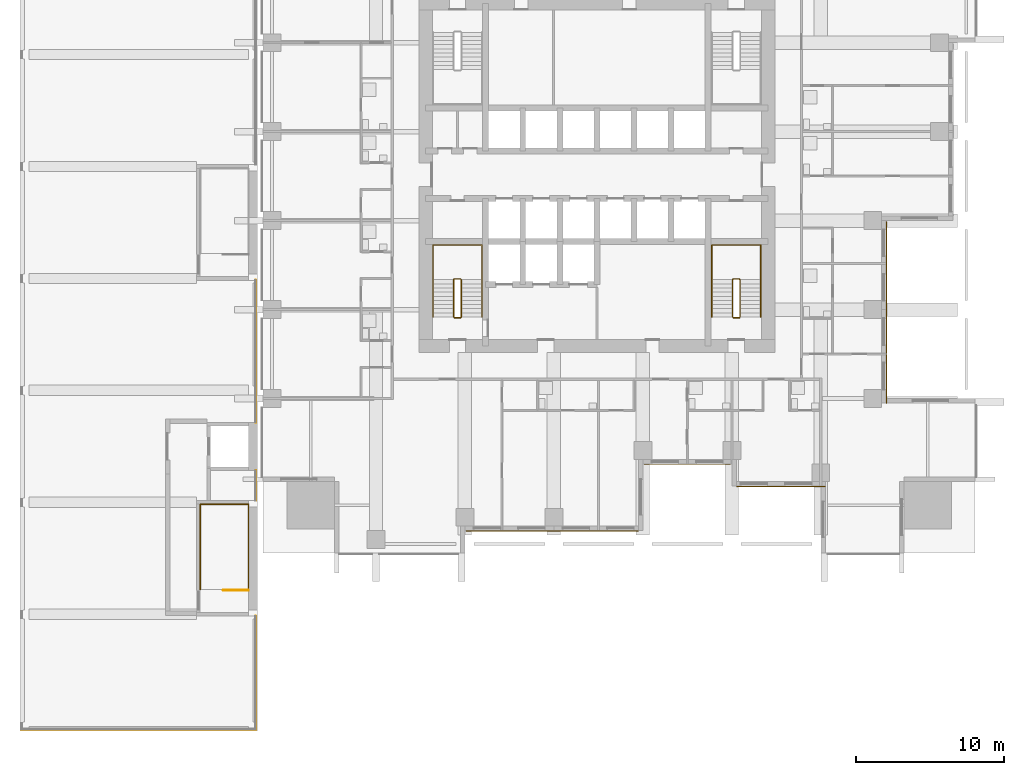
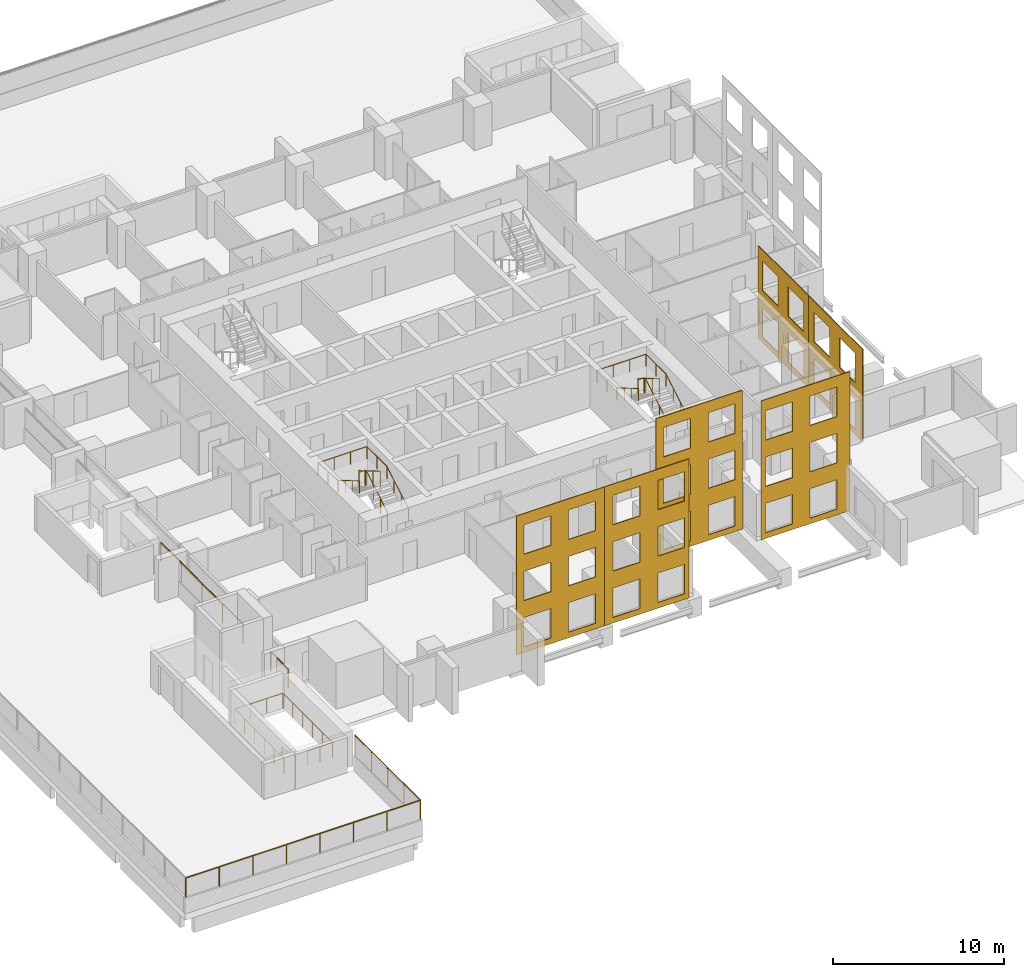
# One storey, part 12 of 15: 10 railings, 6 coverings.
"""IFC4 building model written with IfcOpenShell, lengths in metres."""

from ifc_helpers import new_model, si_unit, direction, frame, origin, origin_2d, place, context, subcontext, project, spatial, polyline, circle, outline, extrude, material, layer, layer_set, type_object, element, save


model = new_model("IFC4")

# Units and contexts
model_context = context("Model", 3, precision=1e-05, world=origin(), true_north=direction((0.0, 1.0)))
body_context = subcontext(model_context, "Body", "Model", "MODEL_VIEW")
ifc_project = project(units=[si_unit("LENGTHUNIT", "METRE"), si_unit("AREAUNIT", "SQUARE_METRE"), si_unit("VOLUMEUNIT", "CUBIC_METRE"), si_unit("PLANEANGLEUNIT", "RADIAN"), si_unit("MASSUNIT", "GRAM", prefix="KILO")], contexts=[model_context])

# Site, building, storey
site_placement = place(None, origin())
site = spatial("IfcSite", under=ifc_project, at=site_placement, CompositionType="ELEMENT")
building_placement = place(site_placement, origin())
building = spatial("IfcBuilding", under=site, at=building_placement, Name="Amberfall Residences", CompositionType="ELEMENT")
storey_placement = place(building_placement, frame((0.0, 0.0, 23.5)))
storey = spatial("IfcBuildingStorey", under=building, at=storey_placement, Name="L05", CompositionType="ELEMENT", Elevation=23.5)

# Coverings
ifc_material_1 = material(Name="Pale limestone cladding", Category="masonry")
ifc_layer = layer(ifc_material_1, 0.050048828125)
ifc_layer_set = layer_set([ifc_layer], Name="Limestone fascia 50")
covering_type = type_object("IfcCoveringType", Name="Limestone fascia 50", PredefinedType="CLADDING", material=ifc_layer_set)
covering_1_placement = place(storey_placement, frame((65.68994140625, 21.5, 9.64990234375), z_axis=(0.0, 1.0, 0.0), x_axis=(1.0, 0.0, 0.0)))
element("IfcCovering", 1, at=covering_1_placement, inside=storey, type_object=covering_type, Name="Pale limestone cladding L05-L07 S", PredefinedType="CLADDING", context=body_context, shape_type="SweptSolid", body=[
    extrude(outline(polyline([(0.0, 0.0), (5.91015625, 0.0), (5.91015625, 9.89990234375), (0.0, 9.89990234375), (0.0, 0.0)]), holes=[polyline([(0.510009765625, 7.39990234375), (2.31005859375, 7.39990234375), (2.31005859375, 9.5), (0.510009765625, 9.5), (0.510009765625, 7.39990234375)]), polyline([(3.510009765625, 7.39990234375), (5.31005859375, 7.39990234375), (5.31005859375, 9.5), (3.510009765625, 9.5), (3.510009765625, 7.39990234375)]), polyline([(0.510009765625, 4.099853515625), (2.31005859375, 4.099853515625), (2.31005859375, 6.199951171875), (0.510009765625, 6.199951171875), (0.510009765625, 4.099853515625)]), polyline([(3.510009765625, 4.099853515625), (5.31005859375, 4.099853515625), (5.31005859375, 6.199951171875), (3.510009765625, 6.199951171875), (3.510009765625, 4.099853515625)]), polyline([(0.510009765625, 0.7998046875), (2.31005859375, 0.7998046875), (2.31005859375, 2.89990234375), (0.510009765625, 2.89990234375), (0.510009765625, 0.7998046875)]), polyline([(3.510009765625, 0.7998046875), (5.31005859375, 0.7998046875), (5.31005859375, 2.89990234375), (3.510009765625, 2.89990234375), (3.510009765625, 0.7998046875)])]), origin(), (0.0, 0.0, -1.0), 0.050048828125),
])
covering_2_placement = place(storey_placement, frame((71.60009765625, 21.5, 9.64990234375), z_axis=(0.0, 1.0, 0.0), x_axis=(1.0, 0.0, 0.0)))
element("IfcCovering", 2, at=covering_2_placement, inside=storey, type_object=covering_type, Name="Pale limestone cladding L05-L07 S", PredefinedType="CLADDING", context=body_context, shape_type="SweptSolid", body=[
    extrude(outline(polyline([(0.0, 0.0), (5.699951171875, 0.0), (5.699951171875, 9.89990234375), (0.0, 9.89990234375), (0.0, 0.0)]), holes=[polyline([(0.599853515625, 7.39990234375), (2.39990234375, 7.39990234375), (2.39990234375, 9.5), (0.599853515625, 9.5), (0.599853515625, 7.39990234375)]), polyline([(3.599853515625, 7.39990234375), (5.39990234375, 7.39990234375), (5.39990234375, 9.5), (3.599853515625, 9.5), (3.599853515625, 7.39990234375)]), polyline([(0.599853515625, 4.099853515625), (2.39990234375, 4.099853515625), (2.39990234375, 6.199951171875), (0.599853515625, 6.199951171875), (0.599853515625, 4.099853515625)]), polyline([(3.599853515625, 4.099853515625), (5.39990234375, 4.099853515625), (5.39990234375, 6.199951171875), (3.599853515625, 6.199951171875), (3.599853515625, 4.099853515625)]), polyline([(0.599853515625, 0.7998046875), (2.39990234375, 0.7998046875), (2.39990234375, 2.89990234375), (0.599853515625, 2.89990234375), (0.599853515625, 0.7998046875)]), polyline([(3.599853515625, 0.7998046875), (5.39990234375, 0.7998046875), (5.39990234375, 2.89990234375), (3.599853515625, 2.89990234375), (3.599853515625, 0.7998046875)])]), origin(), (0.0, 0.0, -1.0), 0.050048828125),
])
covering_3_placement = place(storey_placement, frame((77.68994140625, 26.0, 9.64990234375), z_axis=(0.0, 1.0, 0.0), x_axis=(1.0, 0.0, 0.0)))
element("IfcCovering", 3, at=covering_3_placement, inside=storey, type_object=covering_type, Name="Pale limestone cladding L05-L07 S", PredefinedType="CLADDING", context=body_context, shape_type="SweptSolid", body=[
    extrude(outline(polyline([(0.0, 0.0), (5.820068359375, 0.0), (5.820068359375, 9.89990234375), (0.0, 9.89990234375), (0.0, 0.0)]), holes=[polyline([(0.510009765625, 7.39990234375), (2.31005859375, 7.39990234375), (2.31005859375, 9.5), (0.510009765625, 9.5), (0.510009765625, 7.39990234375)]), polyline([(3.510009765625, 7.39990234375), (5.31005859375, 7.39990234375), (5.31005859375, 9.5), (3.510009765625, 9.5), (3.510009765625, 7.39990234375)]), polyline([(0.510009765625, 4.099853515625), (2.31005859375, 4.099853515625), (2.31005859375, 6.199951171875), (0.510009765625, 6.199951171875), (0.510009765625, 4.099853515625)]), polyline([(3.510009765625, 4.099853515625), (5.31005859375, 4.099853515625), (5.31005859375, 6.199951171875), (3.510009765625, 6.199951171875), (3.510009765625, 4.099853515625)]), polyline([(0.510009765625, 0.7998046875), (2.31005859375, 0.7998046875), (2.31005859375, 2.89990234375), (0.510009765625, 2.89990234375), (0.510009765625, 0.7998046875)]), polyline([(3.510009765625, 0.7998046875), (5.31005859375, 0.7998046875), (5.31005859375, 2.89990234375), (3.510009765625, 2.89990234375), (3.510009765625, 0.7998046875)])]), origin(), (0.0, 0.0, -1.0), 0.050048828125),
])
covering_4_placement = place(storey_placement, frame((83.89990234375, 24.5, 9.64990234375), z_axis=(0.0, 1.0, 0.0), x_axis=(1.0, 0.0, 0.0)))
element("IfcCovering", 4, at=covering_4_placement, inside=storey, type_object=covering_type, Name="Pale limestone cladding L05-L07 S", PredefinedType="CLADDING", context=body_context, shape_type="SweptSolid", body=[
    extrude(outline(polyline([(0.0, 0.0), (6.0, 0.0), (6.0, 9.89990234375), (0.0, 9.89990234375), (0.0, 0.0)]), holes=[polyline([(0.300048828125, 7.39990234375), (2.10009765625, 7.39990234375), (2.10009765625, 9.5), (0.300048828125, 9.5), (0.300048828125, 7.39990234375)]), polyline([(3.300048828125, 7.39990234375), (5.10009765625, 7.39990234375), (5.10009765625, 9.5), (3.300048828125, 9.5), (3.300048828125, 7.39990234375)]), polyline([(0.300048828125, 4.099853515625), (2.10009765625, 4.099853515625), (2.10009765625, 6.199951171875), (0.300048828125, 6.199951171875), (0.300048828125, 4.099853515625)]), polyline([(3.300048828125, 4.099853515625), (5.10009765625, 4.099853515625), (5.10009765625, 6.199951171875), (3.300048828125, 6.199951171875), (3.300048828125, 4.099853515625)]), polyline([(0.300048828125, 0.7998046875), (2.10009765625, 0.7998046875), (2.10009765625, 2.89990234375), (0.300048828125, 2.89990234375), (0.300048828125, 0.7998046875)]), polyline([(3.300048828125, 0.7998046875), (5.10009765625, 0.7998046875), (5.10009765625, 2.89990234375), (3.300048828125, 2.89990234375), (3.300048828125, 0.7998046875)])]), origin(), (0.0, 0.0, -1.0), 0.050048828125),
])
covering_5_placement = place(storey_placement, frame((94.0, 30.10009765625, 6.35009765625), z_axis=(-1.0, 0.0, 0.0), x_axis=(0.0, 1.0, 0.0)))
element("IfcCovering", 5, at=covering_5_placement, inside=storey, type_object=covering_type, Name="Pale limestone cladding L05-L06 E", PredefinedType="CLADDING", context=body_context, shape_type="SweptSolid", body=[
    extrude(outline(polyline([(0.0, 0.0), (6.2998046875, 0.0), (6.2998046875, 6.60009765625), (0.0, 6.60009765625), (0.0, 0.0)]), holes=[polyline([(0.89990234375, 4.10009765625), (2.699951171875, 4.10009765625), (2.699951171875, 6.2001953125), (0.89990234375, 6.2001953125), (0.89990234375, 4.10009765625)]), polyline([(3.89990234375, 4.10009765625), (5.699951171875, 4.10009765625), (5.699951171875, 6.2001953125), (3.89990234375, 6.2001953125), (3.89990234375, 4.10009765625)]), polyline([(0.89990234375, 0.800048828125), (2.699951171875, 0.800048828125), (2.699951171875, 2.900146484375), (0.89990234375, 2.900146484375), (0.89990234375, 0.800048828125)]), polyline([(3.89990234375, 0.800048828125), (5.699951171875, 0.800048828125), (5.699951171875, 2.900146484375), (3.89990234375, 2.900146484375), (3.89990234375, 0.800048828125)])]), origin(), (0.0, 0.0, -1.0), 0.050048828125),
])
covering_6_placement = place(storey_placement, frame((94.0, 36.39990234375, 6.35009765625), z_axis=(-1.0, 0.0, 0.0), x_axis=(0.0, 1.0, 0.0)))
element("IfcCovering", 6, at=covering_6_placement, inside=storey, type_object=covering_type, Name="Pale limestone cladding L05-L06 E", PredefinedType="CLADDING", context=body_context, shape_type="SweptSolid", body=[
    extrude(outline(polyline([(0.0, 0.0), (5.91015625, 0.0), (5.91015625, 6.60009765625), (0.0, 6.60009765625), (0.0, 0.0)]), holes=[polyline([(0.60009765625, 4.10009765625), (2.400146484375, 4.10009765625), (2.400146484375, 6.2001953125), (0.60009765625, 6.2001953125), (0.60009765625, 4.10009765625)]), polyline([(3.60009765625, 4.10009765625), (5.400146484375, 4.10009765625), (5.400146484375, 6.2001953125), (3.60009765625, 6.2001953125), (3.60009765625, 4.10009765625)]), polyline([(0.60009765625, 0.800048828125), (2.400146484375, 0.800048828125), (2.400146484375, 2.900146484375), (0.60009765625, 2.900146484375), (0.60009765625, 0.800048828125)]), polyline([(3.60009765625, 0.800048828125), (5.400146484375, 0.800048828125), (5.400146484375, 2.900146484375), (3.60009765625, 2.900146484375), (3.60009765625, 0.800048828125)])]), origin(), (0.0, 0.0, -1.0), 0.050048828125),
])

# Railings
ifc_material_2 = material(Name="Galvanised steel", Category="steel")
railing_type_1 = type_object("IfcRailingType", Name="School playground fence 1400", PredefinedType="GUARDRAIL", material=ifc_material_2)
railing_1_placement = place(storey_placement, frame((35.699951171875, 8.10009765625, 1.10009765625)))
element("IfcRailing", 7, at=railing_1_placement, inside=storey, type_object=railing_type_1, Name="School playground fence", PredefinedType="GUARDRAIL", context=body_context, shape_type="SweptSolid", body=[
    extrude(circle(Radius=0.02392578125, at=origin_2d()), frame((0.0, 0.0, 1.3759765625), z_axis=(1.0, 0.0, 0.0), x_axis=(0.0, 1.0, 0.0)), (0.0, 0.0, 1.0), 15.800048828125),
    extrude(circle(Radius=0.02099609375, at=origin_2d()), origin(), (0.0, 0.0, 1.0), 1.351806640625),
    extrude(circle(Radius=0.02099609375, at=origin_2d()), frame((2.257080078125, 0.0, 0.0)), (0.0, 0.0, 1.0), 1.351806640625),
    extrude(circle(Radius=0.02099609375, at=origin_2d()), frame((4.514404296875, 0.0, 0.0)), (0.0, 0.0, 1.0), 1.351806640625),
    extrude(circle(Radius=0.02099609375, at=origin_2d()), frame((6.771484375, 0.0, 0.0)), (0.0, 0.0, 1.0), 1.351806640625),
    extrude(circle(Radius=0.02099609375, at=origin_2d()), frame((9.028564453125, 0.0, 0.0)), (0.0, 0.0, 1.0), 1.351806640625),
    extrude(circle(Radius=0.02099609375, at=origin_2d()), frame((11.28564453125, 0.0, 0.0)), (0.0, 0.0, 1.0), 1.351806640625),
    extrude(circle(Radius=0.02099609375, at=origin_2d()), frame((13.54296875, 0.0, 0.0)), (0.0, 0.0, 1.0), 1.351806640625),
    extrude(circle(Radius=0.02099609375, at=origin_2d()), frame((15.800048828125, 0.0, 0.0)), (0.0, 0.0, 1.0), 1.351806640625),
])
railing_2_placement = place(storey_placement, frame((51.5, 8.10009765625, 1.10009765625)))
element("IfcRailing", 8, at=railing_2_placement, inside=storey, type_object=railing_type_1, Name="School playground fence", PredefinedType="GUARDRAIL", context=body_context, shape_type="SweptSolid", body=[
    extrude(circle(Radius=0.02392578125, at=origin_2d()), frame((0.0, 0.0, 1.3759765625), z_axis=(0.0, 1.0, 0.0), x_axis=(-1.0, 0.0, 0.0)), (0.0, 0.0, 1.0), 7.625),
    extrude(circle(Radius=0.02099609375, at=origin_2d()), origin(), (0.0, 0.0, 1.0), 1.351806640625),
    extrude(circle(Radius=0.02099609375, at=origin_2d()), frame((0.0, 1.90625, 0.0)), (0.0, 0.0, 1.0), 1.351806640625),
    extrude(circle(Radius=0.02099609375, at=origin_2d()), frame((0.0, 3.8125, 0.0)), (0.0, 0.0, 1.0), 1.351806640625),
    extrude(circle(Radius=0.02099609375, at=origin_2d()), frame((0.0, 5.71875, 0.0)), (0.0, 0.0, 1.0), 1.351806640625),
    extrude(circle(Radius=0.02099609375, at=origin_2d()), frame((0.0, 7.625, 0.0)), (0.0, 0.0, 1.0), 1.351806640625),
])
railing_3_placement = place(storey_placement, frame((51.5, 23.52490234375, 1.10009765625)))
element("IfcRailing", 9, at=railing_3_placement, inside=storey, type_object=railing_type_1, Name="School playground fence", PredefinedType="GUARDRAIL", context=body_context, shape_type="SweptSolid", body=[
    extrude(circle(Radius=0.02392578125, at=origin_2d()), frame((0.0, 0.0, 1.3759765625), z_axis=(0.0, 1.0, 0.0), x_axis=(-1.0, 0.0, 0.0)), (0.0, 0.0, 1.0), 2.025146484375),
    extrude(circle(Radius=0.02099609375, at=origin_2d()), origin(), (0.0, 0.0, 1.0), 1.351806640625),
    extrude(circle(Radius=0.02099609375, at=origin_2d()), frame((0.0, 2.025146484375, 0.0)), (0.0, 0.0, 1.0), 1.351806640625),
])
railing_4_placement = place(storey_placement, frame((51.5, 28.800048828125, 1.10009765625)))
element("IfcRailing", 10, at=railing_4_placement, inside=storey, type_object=railing_type_1, Name="School playground fence", PredefinedType="GUARDRAIL", context=body_context, shape_type="SweptSolid", body=[
    extrude(circle(Radius=0.02392578125, at=origin_2d()), frame((0.0, 0.0, 1.3759765625), z_axis=(0.0, 1.0, 0.0), x_axis=(-1.0, 0.0, 0.0)), (0.0, 0.0, 1.0), 9.574951171875),
    extrude(circle(Radius=0.02099609375, at=origin_2d()), origin(), (0.0, 0.0, 1.0), 1.351806640625),
    extrude(circle(Radius=0.02099609375, at=origin_2d()), frame((0.0, 2.393798828125, 0.0)), (0.0, 0.0, 1.0), 1.351806640625),
    extrude(circle(Radius=0.02099609375, at=origin_2d()), frame((0.0, 4.78759765625, 0.0)), (0.0, 0.0, 1.0), 1.351806640625),
    extrude(circle(Radius=0.02099609375, at=origin_2d()), frame((0.0, 7.18115234375, 0.0)), (0.0, 0.0, 1.0), 1.351806640625),
    extrude(circle(Radius=0.02099609375, at=origin_2d()), frame((0.0, 9.574951171875, 0.0)), (0.0, 0.0, 1.0), 1.351806640625),
])
ifc_material_3 = material(Name="Stainless steel", Category="steel")
railing_type_2 = type_object("IfcRailingType", Name="School stair guard 1100", PredefinedType="GUARDRAIL", material=ifc_material_3)
railing_5_placement = place(storey_placement, frame((51.0, 17.47509765625, 0.0)))
element("IfcRailing", 11, at=railing_5_placement, inside=storey, type_object=railing_type_2, Name="L05 SS1 top well guard 1", PredefinedType="GUARDRAIL", context=body_context, shape_type="SweptSolid", body=[
    extrude(circle(Radius=0.02392578125, at=origin_2d()), frame((0.0, 0.0, 1.076171875), z_axis=(-1.0, 0.0, 0.0), x_axis=(0.0, -1.0, 0.0)), (0.0, 0.0, 1.0), 1.699951171875),
    extrude(circle(Radius=0.02099609375, at=origin_2d()), origin(), (0.0, 0.0, 1.0), 1.052001953125),
    extrude(circle(Radius=0.02099609375, at=origin_2d()), frame((-0.85009765625, 0.0, 0.0)), (0.0, 0.0, 1.0), 1.052001953125),
    extrude(circle(Radius=0.02099609375, at=origin_2d()), frame((-1.699951171875, 0.0, 0.0)), (0.0, 0.0, 1.0), 1.052001953125),
])
railing_6_placement = place(storey_placement, frame((51.0, 17.52490234375, 0.0)))
element("IfcRailing", 12, at=railing_6_placement, inside=storey, type_object=railing_type_2, Name="School roof stair well guard SS1", PredefinedType="GUARDRAIL", context=body_context, shape_type="SweptSolid", body=[
    extrude(circle(Radius=0.02392578125, at=origin_2d()), frame((0.0, 0.0, 1.076171875), z_axis=(0.0, 1.0, 0.0), x_axis=(-1.0, 0.0, 0.0)), (0.0, 0.0, 1.0), 5.75),
    extrude(circle(Radius=0.02392578125, at=origin_2d()), frame((0.0, 5.75, 1.076171875), z_axis=(-1.0, 0.0, 0.0), x_axis=(0.0, -1.0, 0.0)), (0.0, 0.0, 1.0), 3.25),
    extrude(circle(Radius=0.02392578125, at=origin_2d()), frame((-3.25, 5.75, 1.076171875), z_axis=(0.0, -1.0, 0.0), x_axis=(1.0, 0.0, 0.0)), (0.0, 0.0, 1.0), 5.75),
    extrude(circle(Radius=0.02099609375, at=origin_2d()), origin(), (0.0, 0.0, 1.0), 1.052001953125),
    extrude(circle(Radius=0.02099609375, at=origin_2d()), frame((0.0, 1.14990234375, 0.0)), (0.0, 0.0, 1.0), 1.052001953125),
    extrude(circle(Radius=0.02099609375, at=origin_2d()), frame((0.0, 2.300048828125, 0.0)), (0.0, 0.0, 1.0), 1.052001953125),
    extrude(circle(Radius=0.02099609375, at=origin_2d()), frame((0.0, 3.449951171875, 0.0)), (0.0, 0.0, 1.0), 1.052001953125),
    extrude(circle(Radius=0.02099609375, at=origin_2d()), frame((0.0, 4.60009765625, 0.0)), (0.0, 0.0, 1.0), 1.052001953125),
    extrude(circle(Radius=0.02099609375, at=origin_2d()), frame((0.0, 5.75, 0.0)), (0.0, 0.0, 1.0), 1.052001953125),
    extrude(circle(Radius=0.02099609375, at=origin_2d()), frame((-1.083251953125, 5.75, 0.0)), (0.0, 0.0, 1.0), 1.052001953125),
    extrude(circle(Radius=0.02099609375, at=origin_2d()), frame((-2.166748046875, 5.75, 0.0)), (0.0, 0.0, 1.0), 1.052001953125),
    extrude(circle(Radius=0.02099609375, at=origin_2d()), frame((-3.25, 5.75, 0.0)), (0.0, 0.0, 1.0), 1.052001953125),
    extrude(circle(Radius=0.02099609375, at=origin_2d()), frame((-3.25, 4.60009765625, 0.0)), (0.0, 0.0, 1.0), 1.052001953125),
    extrude(circle(Radius=0.02099609375, at=origin_2d()), frame((-3.25, 3.449951171875, 0.0)), (0.0, 0.0, 1.0), 1.052001953125),
    extrude(circle(Radius=0.02099609375, at=origin_2d()), frame((-3.25, 2.300048828125, 0.0)), (0.0, 0.0, 1.0), 1.052001953125),
    extrude(circle(Radius=0.02099609375, at=origin_2d()), frame((-3.25, 1.14990234375, 0.0)), (0.0, 0.0, 1.0), 1.052001953125),
    extrude(circle(Radius=0.02099609375, at=origin_2d()), frame((-3.25, 0.0, 0.0)), (0.0, 0.0, 1.0), 1.052001953125),
])
ifc_material_4 = material(Name="Stainless steel 316", Category="steel")
railing_type_3 = type_object("IfcRailingType", Name="Stair guard 1100", PredefinedType="GUARDRAIL", material=ifc_material_4)
railing_7_placement = place(storey_placement, frame((64.89990234375, 35.85009765625, 0.0)))
element("IfcRailing", 13, at=railing_7_placement, inside=storey, type_object=railing_type_3, Name="L05 stair 1 guard", PredefinedType="GUARDRAIL", context=body_context, shape_type="SweptSolid", body=[
    extrude(circle(Radius=0.02392578125, at=origin_2d()), frame((0.0, 0.0, 1.076171875), z_axis=(1.0, 0.0, 0.0), x_axis=(0.0, 1.0, 0.0)), (0.0, 0.0, 1.0), 0.400146484375),
    extrude(circle(Radius=0.02392578125, at=origin_2d()), frame((0.400146484375, 0.0, 1.076171875), z_axis=(0.278810427259, 0.277450376394, 0.919394384522), x_axis=(-0.705375805398, 0.708833529934, 0.0)), (0.0, 0.0, 1.0), 0.179443359375),
    extrude(circle(Radius=0.02392578125, at=origin_2d()), frame((0.4501953125, 0.0498046875, 1.2412109375), z_axis=(0.0, 0.861560626758, 0.507654692109), x_axis=(-1.0, 0.0, 0.0)), (0.0, 0.0, 1.0), 2.925048828125),
    extrude(circle(Radius=0.02392578125, at=origin_2d()), frame((0.4501953125, 2.56982421875, 2.72607421875), z_axis=(-0.707106781187, 0.707106781187, 0.0), x_axis=(-0.707106781187, -0.707106781187, 0.0)), (0.0, 0.0, 1.0), 0.07080078125),
    extrude(circle(Radius=0.02392578125, at=origin_2d()), frame((0.400146484375, 2.619873046875, 2.72607421875), z_axis=(-1.0, 0.0, 0.0), x_axis=(0.0, -1.0, 0.0)), (0.0, 0.0, 1.0), 0.400146484375),
    extrude(circle(Radius=0.02392578125, at=origin_2d()), frame((0.0, 2.619873046875, 2.72607421875), z_axis=(-0.277450376394, -0.278810427259, 0.919394384522), x_axis=(0.708833529934, -0.705375805398, 0.0)), (0.0, 0.0, 1.0), 0.179443359375),
    extrude(circle(Radius=0.02392578125, at=origin_2d()), frame((-0.0498046875, 2.56982421875, 2.89111328125), z_axis=(0.0, -0.86152411907, 0.507716645641), x_axis=(1.0, 0.0, 0.0)), (0.0, 0.0, 1.0), 2.925048828125),
    extrude(circle(Radius=0.02099609375, at=origin_2d()), origin(), (0.0, 0.0, 1.0), 1.052001953125),
    extrude(circle(Radius=0.02099609375, at=origin_2d()), frame((0.400146484375, 0.0, 0.0)), (0.0, 0.0, 1.0), 1.052001953125),
    extrude(circle(Radius=0.02099609375, at=origin_2d()), frame((0.4501953125, 0.0498046875, 0.1650390625)), (0.0, 0.0, 1.0), 1.052001953125),
    extrude(circle(Radius=0.02099609375, at=origin_2d()), frame((0.4501953125, 0.889892578125, 0.659912109375)), (0.0, 0.0, 1.0), 1.052001953125),
    extrude(circle(Radius=0.02099609375, at=origin_2d()), frame((0.4501953125, 1.729736328125, 1.155029296875)), (0.0, 0.0, 1.0), 1.052001953125),
    extrude(circle(Radius=0.02099609375, at=origin_2d()), frame((0.4501953125, 2.56982421875, 1.64990234375)), (0.0, 0.0, 1.0), 1.052001953125),
    extrude(circle(Radius=0.02099609375, at=origin_2d()), frame((0.400146484375, 2.619873046875, 1.64990234375)), (0.0, 0.0, 1.0), 1.052001953125),
    extrude(circle(Radius=0.02099609375, at=origin_2d()), frame((0.0, 2.619873046875, 1.64990234375)), (0.0, 0.0, 1.0), 1.052001953125),
    extrude(circle(Radius=0.02099609375, at=origin_2d()), frame((-0.0498046875, 2.56982421875, 1.81494140625)), (0.0, 0.0, 1.0), 1.052001953125),
    extrude(circle(Radius=0.02099609375, at=origin_2d()), frame((-0.0498046875, 1.729736328125, 2.31005859375)), (0.0, 0.0, 1.0), 1.052001953125),
    extrude(circle(Radius=0.02099609375, at=origin_2d()), frame((-0.0498046875, 0.889892578125, 2.804931640625)), (0.0, 0.0, 1.0), 1.052001953125),
    extrude(circle(Radius=0.02099609375, at=origin_2d()), frame((-0.0498046875, 0.0498046875, 3.300048828125)), (0.0, 0.0, 1.0), 1.052001953125),
])
railing_8_placement = place(storey_placement, frame((83.699951171875, 35.85009765625, 0.0)))
element("IfcRailing", 14, at=railing_8_placement, inside=storey, type_object=railing_type_3, Name="L05 stair 2 guard", PredefinedType="GUARDRAIL", context=body_context, shape_type="SweptSolid", body=[
    extrude(circle(Radius=0.02392578125, at=origin_2d()), frame((0.0, 0.0, 1.076171875), z_axis=(1.0, 0.0, 0.0), x_axis=(0.0, 1.0, 0.0)), (0.0, 0.0, 1.0), 0.400146484375),
    extrude(circle(Radius=0.02392578125, at=origin_2d()), frame((0.400146484375, 0.0, 1.076171875), z_axis=(0.27755538755, 0.27755538755, 0.919742362667), x_axis=(-0.707106781187, 0.707106781187, 0.0)), (0.0, 0.0, 1.0), 0.179443359375),
    extrude(circle(Radius=0.02392578125, at=origin_2d()), frame((0.449951171875, 0.0498046875, 1.2412109375), z_axis=(0.0, 0.861560626758, 0.507654692109), x_axis=(-1.0, 0.0, 0.0)), (0.0, 0.0, 1.0), 2.925048828125),
    extrude(circle(Radius=0.02392578125, at=origin_2d()), frame((0.449951171875, 2.56982421875, 2.72607421875), z_axis=(-0.705375805398, 0.708833529934, 0.0), x_axis=(-0.708833529934, -0.705375805398, 0.0)), (0.0, 0.0, 1.0), 0.070556640625),
    extrude(circle(Radius=0.02392578125, at=origin_2d()), frame((0.400146484375, 2.619873046875, 2.72607421875), z_axis=(-1.0, 0.0, 0.0), x_axis=(0.0, -1.0, 0.0)), (0.0, 0.0, 1.0), 0.400146484375),
    extrude(circle(Radius=0.02392578125, at=origin_2d()), frame((0.0, 2.619873046875, 2.72607421875), z_axis=(-0.278705021027, -0.278705021027, 0.919046801044), x_axis=(0.707106781187, -0.707106781187, 0.0)), (0.0, 0.0, 1.0), 0.1796875),
    extrude(circle(Radius=0.02392578125, at=origin_2d()), frame((-0.050048828125, 2.56982421875, 2.89111328125), z_axis=(0.0, -0.86152411907, 0.507716645641), x_axis=(1.0, 0.0, 0.0)), (0.0, 0.0, 1.0), 2.925048828125),
    extrude(circle(Radius=0.02099609375, at=origin_2d()), origin(), (0.0, 0.0, 1.0), 1.052001953125),
    extrude(circle(Radius=0.02099609375, at=origin_2d()), frame((0.400146484375, 0.0, 0.0)), (0.0, 0.0, 1.0), 1.052001953125),
    extrude(circle(Radius=0.02099609375, at=origin_2d()), frame((0.449951171875, 0.0498046875, 0.1650390625)), (0.0, 0.0, 1.0), 1.052001953125),
    extrude(circle(Radius=0.02099609375, at=origin_2d()), frame((0.449951171875, 0.889892578125, 0.659912109375)), (0.0, 0.0, 1.0), 1.052001953125),
    extrude(circle(Radius=0.02099609375, at=origin_2d()), frame((0.449951171875, 1.729736328125, 1.155029296875)), (0.0, 0.0, 1.0), 1.052001953125),
    extrude(circle(Radius=0.02099609375, at=origin_2d()), frame((0.449951171875, 2.56982421875, 1.64990234375)), (0.0, 0.0, 1.0), 1.052001953125),
    extrude(circle(Radius=0.02099609375, at=origin_2d()), frame((0.400146484375, 2.619873046875, 1.64990234375)), (0.0, 0.0, 1.0), 1.052001953125),
    extrude(circle(Radius=0.02099609375, at=origin_2d()), frame((0.0, 2.619873046875, 1.64990234375)), (0.0, 0.0, 1.0), 1.052001953125),
    extrude(circle(Radius=0.02099609375, at=origin_2d()), frame((-0.050048828125, 2.56982421875, 1.81494140625)), (0.0, 0.0, 1.0), 1.052001953125),
    extrude(circle(Radius=0.02099609375, at=origin_2d()), frame((-0.050048828125, 1.729736328125, 2.31005859375)), (0.0, 0.0, 1.0), 1.052001953125),
    extrude(circle(Radius=0.02099609375, at=origin_2d()), frame((-0.050048828125, 0.889892578125, 2.804931640625)), (0.0, 0.0, 1.0), 1.052001953125),
    extrude(circle(Radius=0.02099609375, at=origin_2d()), frame((-0.050048828125, 0.0498046875, 3.300048828125)), (0.0, 0.0, 1.0), 1.052001953125),
])
railing_type_4 = type_object("IfcRailingType", Name="Stair handrail 900", PredefinedType="HANDRAIL", material=ifc_material_4)
railing_9_placement = place(storey_placement, frame((66.75, 35.89990234375, 0.1650390625)))
element("IfcRailing", 15, at=railing_9_placement, inside=storey, type_object=railing_type_4, Name="L05 stair 1 handrail", PredefinedType="HANDRAIL", context=body_context, shape_type="SweptSolid", body=[
    extrude(circle(Radius=0.02392578125, at=origin_2d()), frame((0.0, 0.0, 0.8759765625), z_axis=(0.0, 0.861560626758, 0.507654692109), x_axis=(-1.0, 0.0, 0.0)), (0.0, 0.0, 1.0), 2.925048828125),
    extrude(circle(Radius=0.02392578125, at=origin_2d()), frame((0.0, 2.52001953125, 2.36083984375), z_axis=(0.0, 1.0, 0.0), x_axis=(-1.0, 0.0, 0.0)), (0.0, 0.0, 1.0), 2.330078125),
    extrude(circle(Radius=0.02392578125, at=origin_2d()), frame((0.0, 4.85009765625, 2.36083984375), z_axis=(-1.0, 0.0, 0.0), x_axis=(0.0, -1.0, 0.0)), (0.0, 0.0, 1.0), 3.300048828125),
    extrude(circle(Radius=0.02392578125, at=origin_2d()), frame((-3.300048828125, 4.85009765625, 2.36083984375), z_axis=(0.0, -0.997500965899, 0.07065283455), x_axis=(1.0, 0.0, 0.0)), (0.0, 0.0, 1.0), 2.3359375),
    extrude(circle(Radius=0.02392578125, at=origin_2d()), frame((-3.300048828125, 2.52001953125, 2.52587890625), z_axis=(0.0, -0.86152411907, 0.507716645641), x_axis=(1.0, 0.0, 0.0)), (0.0, 0.0, 1.0), 2.925048828125),
    extrude(circle(Radius=0.02099609375, at=origin_2d()), origin(), (0.0, 0.0, 1.0), 0.851806640625),
    extrude(circle(Radius=0.02099609375, at=origin_2d()), frame((0.0, 0.840087890625, 0.494873046875)), (0.0, 0.0, 1.0), 0.851806640625),
    extrude(circle(Radius=0.02099609375, at=origin_2d()), frame((0.0, 1.679931640625, 0.989990234375)), (0.0, 0.0, 1.0), 0.851806640625),
    extrude(circle(Radius=0.02099609375, at=origin_2d()), frame((0.0, 2.52001953125, 1.48486328125)), (0.0, 0.0, 1.0), 0.851806640625),
    extrude(circle(Radius=0.02099609375, at=origin_2d()), frame((0.0, 3.68505859375, 1.48486328125)), (0.0, 0.0, 1.0), 0.851806640625),
    extrude(circle(Radius=0.02099609375, at=origin_2d()), frame((0.0, 4.85009765625, 1.48486328125)), (0.0, 0.0, 1.0), 0.851806640625),
    extrude(circle(Radius=0.02099609375, at=origin_2d()), frame((-1.10009765625, 4.85009765625, 1.48486328125)), (0.0, 0.0, 1.0), 0.851806640625),
    extrude(circle(Radius=0.02099609375, at=origin_2d()), frame((-2.199951171875, 4.85009765625, 1.48486328125)), (0.0, 0.0, 1.0), 0.851806640625),
    extrude(circle(Radius=0.02099609375, at=origin_2d()), frame((-3.300048828125, 4.85009765625, 1.48486328125)), (0.0, 0.0, 1.0), 0.851806640625),
    extrude(circle(Radius=0.02099609375, at=origin_2d()), frame((-3.300048828125, 3.68505859375, 1.5673828125)), (0.0, 0.0, 1.0), 0.851806640625),
    extrude(circle(Radius=0.02099609375, at=origin_2d()), frame((-3.300048828125, 2.52001953125, 1.64990234375)), (0.0, 0.0, 1.0), 0.851806640625),
    extrude(circle(Radius=0.02099609375, at=origin_2d()), frame((-3.300048828125, 1.679931640625, 2.14501953125)), (0.0, 0.0, 1.0), 0.851806640625),
    extrude(circle(Radius=0.02099609375, at=origin_2d()), frame((-3.300048828125, 0.840087890625, 2.639892578125)), (0.0, 0.0, 1.0), 0.851806640625),
    extrude(circle(Radius=0.02099609375, at=origin_2d()), frame((-3.300048828125, 0.0, 3.135009765625)), (0.0, 0.0, 1.0), 0.851806640625),
])
railing_10_placement = place(storey_placement, frame((85.550048828125, 35.89990234375, 0.1650390625)))
element("IfcRailing", 16, at=railing_10_placement, inside=storey, type_object=railing_type_4, Name="L05 stair 2 handrail", PredefinedType="HANDRAIL", context=body_context, shape_type="SweptSolid", body=[
    extrude(circle(Radius=0.02392578125, at=origin_2d()), frame((0.0, 0.0, 0.8759765625), z_axis=(0.0, 0.861560626758, 0.507654692109), x_axis=(-1.0, 0.0, 0.0)), (0.0, 0.0, 1.0), 2.925048828125),
    extrude(circle(Radius=0.02392578125, at=origin_2d()), frame((0.0, 2.52001953125, 2.36083984375), z_axis=(0.0, 1.0, 0.0), x_axis=(-1.0, 0.0, 0.0)), (0.0, 0.0, 1.0), 2.330078125),
    extrude(circle(Radius=0.02392578125, at=origin_2d()), frame((0.0, 4.85009765625, 2.36083984375), z_axis=(-1.0, 0.0, 0.0), x_axis=(0.0, -1.0, 0.0)), (0.0, 0.0, 1.0), 3.300048828125),
    extrude(circle(Radius=0.02392578125, at=origin_2d()), frame((-3.300048828125, 4.85009765625, 2.36083984375), z_axis=(0.0, -0.997500965899, 0.07065283455), x_axis=(1.0, 0.0, 0.0)), (0.0, 0.0, 1.0), 2.3359375),
    extrude(circle(Radius=0.02392578125, at=origin_2d()), frame((-3.300048828125, 2.52001953125, 2.52587890625), z_axis=(0.0, -0.86152411907, 0.507716645641), x_axis=(1.0, 0.0, 0.0)), (0.0, 0.0, 1.0), 2.925048828125),
    extrude(circle(Radius=0.02099609375, at=origin_2d()), origin(), (0.0, 0.0, 1.0), 0.851806640625),
    extrude(circle(Radius=0.02099609375, at=origin_2d()), frame((0.0, 0.840087890625, 0.494873046875)), (0.0, 0.0, 1.0), 0.851806640625),
    extrude(circle(Radius=0.02099609375, at=origin_2d()), frame((0.0, 1.679931640625, 0.989990234375)), (0.0, 0.0, 1.0), 0.851806640625),
    extrude(circle(Radius=0.02099609375, at=origin_2d()), frame((0.0, 2.52001953125, 1.48486328125)), (0.0, 0.0, 1.0), 0.851806640625),
    extrude(circle(Radius=0.02099609375, at=origin_2d()), frame((0.0, 3.68505859375, 1.48486328125)), (0.0, 0.0, 1.0), 0.851806640625),
    extrude(circle(Radius=0.02099609375, at=origin_2d()), frame((0.0, 4.85009765625, 1.48486328125)), (0.0, 0.0, 1.0), 0.851806640625),
    extrude(circle(Radius=0.02099609375, at=origin_2d()), frame((-1.10009765625, 4.85009765625, 1.48486328125)), (0.0, 0.0, 1.0), 0.851806640625),
    extrude(circle(Radius=0.02099609375, at=origin_2d()), frame((-2.199951171875, 4.85009765625, 1.48486328125)), (0.0, 0.0, 1.0), 0.851806640625),
    extrude(circle(Radius=0.02099609375, at=origin_2d()), frame((-3.300048828125, 4.85009765625, 1.48486328125)), (0.0, 0.0, 1.0), 0.851806640625),
    extrude(circle(Radius=0.02099609375, at=origin_2d()), frame((-3.300048828125, 3.68505859375, 1.5673828125)), (0.0, 0.0, 1.0), 0.851806640625),
    extrude(circle(Radius=0.02099609375, at=origin_2d()), frame((-3.300048828125, 2.52001953125, 1.64990234375)), (0.0, 0.0, 1.0), 0.851806640625),
    extrude(circle(Radius=0.02099609375, at=origin_2d()), frame((-3.300048828125, 1.679931640625, 2.14501953125)), (0.0, 0.0, 1.0), 0.851806640625),
    extrude(circle(Radius=0.02099609375, at=origin_2d()), frame((-3.300048828125, 0.840087890625, 2.639892578125)), (0.0, 0.0, 1.0), 0.851806640625),
    extrude(circle(Radius=0.02099609375, at=origin_2d()), frame((-3.300048828125, 0.0, 3.135009765625)), (0.0, 0.0, 1.0), 0.851806640625),
])

save(model, "model.ifc")
